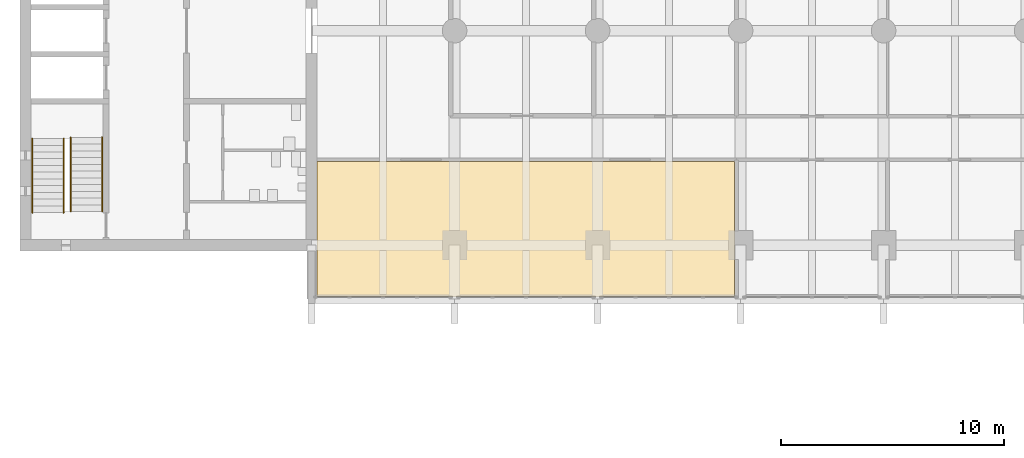
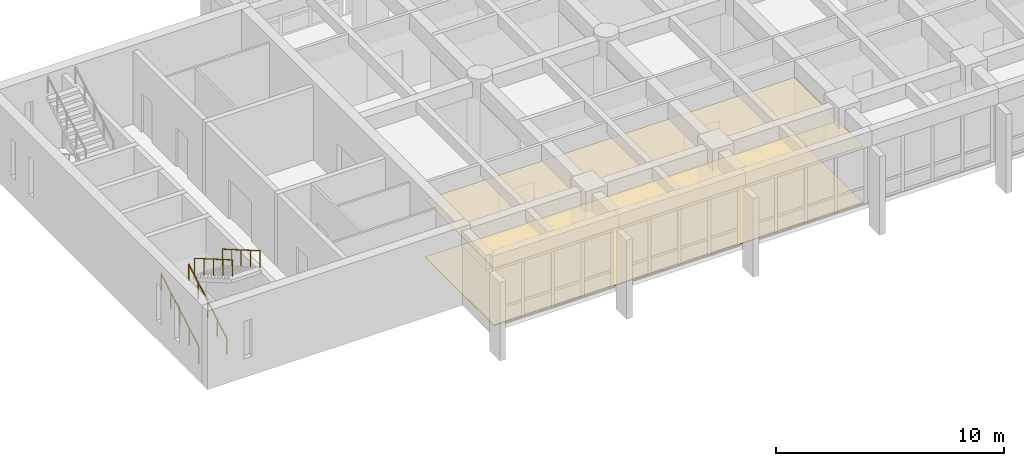
# One storey, part 15 of 18: 4 railings, 2 coverings.
"""IFC4 building model written with IfcOpenShell, lengths in metres."""

from ifc_helpers import new_model, si_unit, direction, frame, origin, origin_2d, place, context, subcontext, project, spatial, polyline, circle, outline, extrude, material, layer, layer_set, type_object, element, save


model = new_model("IFC4")

# Units and contexts
model_context = context("Model", 3, precision=1e-05, world=origin(), true_north=direction((0.0, 1.0)))
body_context = subcontext(model_context, "Body", "Model", "MODEL_VIEW")
ifc_project = project(units=[si_unit("LENGTHUNIT", "METRE"), si_unit("AREAUNIT", "SQUARE_METRE"), si_unit("VOLUMEUNIT", "CUBIC_METRE"), si_unit("PLANEANGLEUNIT", "RADIAN"), si_unit("MASSUNIT", "GRAM", prefix="KILO")], contexts=[model_context])

# Site, building, storey
site_placement = place(None, origin())
site = spatial("IfcSite", under=ifc_project, at=site_placement, CompositionType="ELEMENT")
building_placement = place(site_placement, origin())
building = spatial("IfcBuilding", under=site, at=building_placement, Name="Fogon Plaza Fire Station and Headquarters Tower", CompositionType="ELEMENT")
storey_placement = place(building_placement, frame((0.0, 0.0, 12.89990234375)))
storey = spatial("IfcBuildingStorey", under=building, at=storey_placement, Name="L03", CompositionType="ELEMENT", Elevation=12.89990234375)

# Railings
ifc_material_1 = material(Name="Steel", Category="steel")
railing_type = type_object("IfcRailingType", Name="Stair Handrail 900", PredefinedType="HANDRAIL", material=ifc_material_1)
for number, where, name in (
    (1, (13.10009765625, 35.06005859375, 0.175048828125), "Handrail ST1"),
    (2, (14.5, 35.06005859375, 0.175048828125), "Handrail ST1"),
):
    element("IfcRailing", number, at=place(storey_placement, frame(where)), inside=storey, type_object=railing_type, Name=name, PredefinedType="HANDRAIL", context=body_context, shape_type="SweptSolid", body=[
        extrude(circle(Radius=0.02392578125, at=origin_2d()), frame((0.0, 0.0, 0.8759765625), z_axis=(0.0, 0.864761289162, 0.502183146637), x_axis=(-1.0, 0.0, 0.0)), (0.0, 0.0, 1.0), 3.833251953125),
        extrude(circle(Radius=0.02099609375, at=origin_2d()), origin(), (0.0, 0.0, 1.0), 0.851806640625),
        extrude(circle(Radius=0.02099609375, at=origin_2d()), frame((0.0, 0.82861328125, 0.481201171875)), (0.0, 0.0, 1.0), 0.851806640625),
        extrude(circle(Radius=0.02099609375, at=origin_2d()), frame((0.0, 1.657470703125, 0.96240234375)), (0.0, 0.0, 1.0), 0.851806640625),
        extrude(circle(Radius=0.02099609375, at=origin_2d()), frame((0.0, 2.486328125, 1.44384765625)), (0.0, 0.0, 1.0), 0.851806640625),
        extrude(circle(Radius=0.02099609375, at=origin_2d()), frame((0.0, 3.31494140625, 1.925048828125)), (0.0, 0.0, 1.0), 0.851806640625),
    ])
for number, where, name in (
    (3, (16.22509765625, 38.425048828125, 2.275146484375), "Handrail ST1"),
    (4, (14.824951171875, 38.425048828125, 2.275146484375), "Handrail ST1"),
):
    element("IfcRailing", number, at=place(storey_placement, frame(where)), inside=storey, type_object=railing_type, Name=name, PredefinedType="HANDRAIL", context=body_context, shape_type="SweptSolid", body=[
        extrude(circle(Radius=0.02392578125, at=origin_2d()), frame((0.0, 0.0, 0.8759765625), z_axis=(0.0, -0.864761289162, 0.502183146637), x_axis=(1.0, 0.0, 0.0)), (0.0, 0.0, 1.0), 3.833251953125),
        extrude(circle(Radius=0.02099609375, at=origin_2d()), origin(), (0.0, 0.0, 1.0), 0.851806640625),
        extrude(circle(Radius=0.02099609375, at=origin_2d()), frame((0.0, -0.82861328125, 0.481201171875)), (0.0, 0.0, 1.0), 0.851806640625),
        extrude(circle(Radius=0.02099609375, at=origin_2d()), frame((0.0, -1.657470703125, 0.96240234375)), (0.0, 0.0, 1.0), 0.851806640625),
        extrude(circle(Radius=0.02099609375, at=origin_2d()), frame((0.0, -2.486328125, 1.44384765625)), (0.0, 0.0, 1.0), 0.851806640625),
        extrude(circle(Radius=0.02099609375, at=origin_2d()), frame((0.0, -3.31494140625, 1.925048828125)), (0.0, 0.0, 1.0), 0.851806640625),
    ])

# Coverings
ifc_material_2 = material(Name="Sealed cement screed")
ifc_layer_1 = layer(ifc_material_2, 0.030029296875)
ifc_layer_set_1 = layer_set([ifc_layer_1], Name="Sealed cement screed")
covering_type_1 = type_object("IfcCoveringType", Name="Tower sealed screed floor", PredefinedType="FLOORING", material=ifc_layer_set_1)
covering_1_placement = place(storey_placement, origin())
element("IfcCovering", 5, at=covering_1_placement, inside=storey, type_object=covering_type_1, Name="cov-fl-L03-01", PredefinedType="FLOORING", context=body_context, shape_type="SweptSolid", body=[
    extrude(outline(polyline([(44.532470703125, 31.300048828125), (44.532470703125, 37.35009765625), (25.85009765625, 37.35009765625), (25.85009765625, 31.300048828125), (44.532470703125, 31.300048828125)])), origin(), (0.0, 0.0, 1.0), 0.030029296875),
])
ifc_material_3 = material(Name="Mineral fibre ceiling tile")
ifc_layer_2 = layer(ifc_material_3, 0.0400390625)
ifc_layer_set_2 = layer_set([ifc_layer_2], Name="Mineral fibre ceiling tile")
covering_type_2 = type_object("IfcCoveringType", Name="Tower suspended tile ceiling", PredefinedType="CEILING", material=ifc_layer_set_2)
covering_2_placement = place(storey_placement, frame((0.0, 0.0, 3.0400390625)))
element("IfcCovering", 6, at=covering_2_placement, inside=storey, type_object=covering_type_2, Name="cov-cl-L03-01", PredefinedType="CEILING", context=body_context, shape_type="SweptSolid", body=[
    extrude(outline(polyline([(44.532470703125, 31.300048828125), (44.532470703125, 37.35009765625), (25.85009765625, 37.35009765625), (25.85009765625, 31.300048828125), (44.532470703125, 31.300048828125)])), origin(), (0.0, 0.0, 1.0), 0.0400390625),
])

save(model, "model.ifc")
